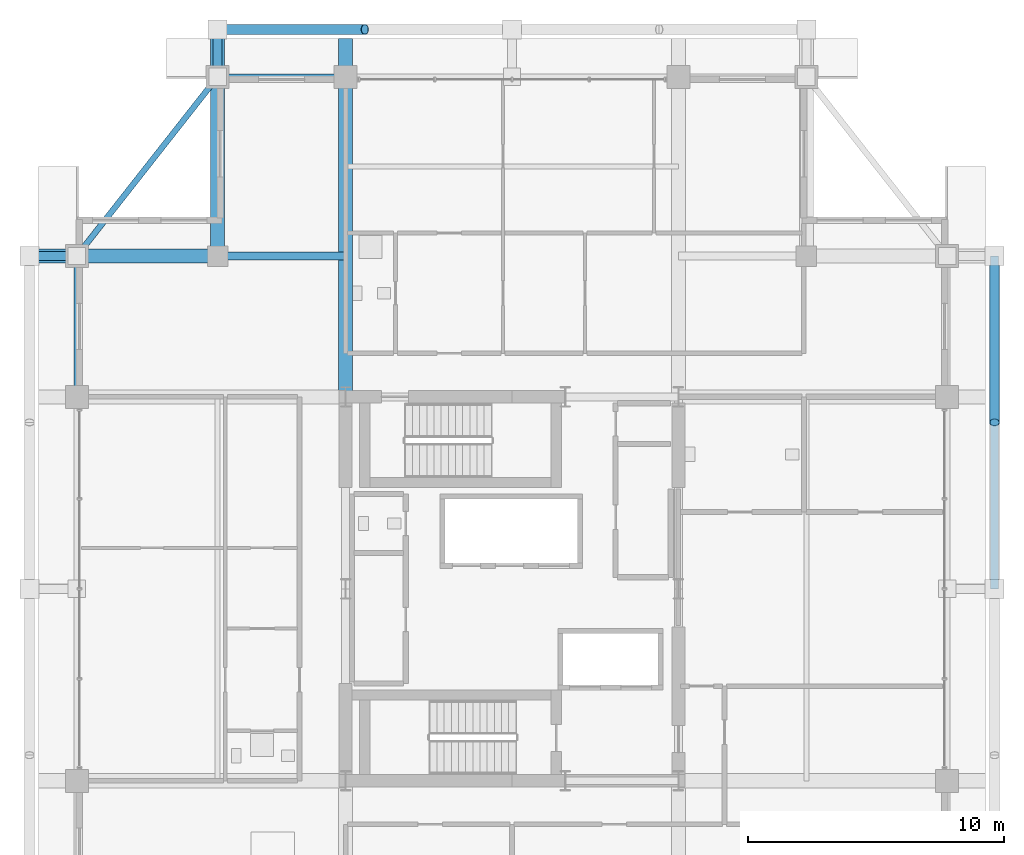
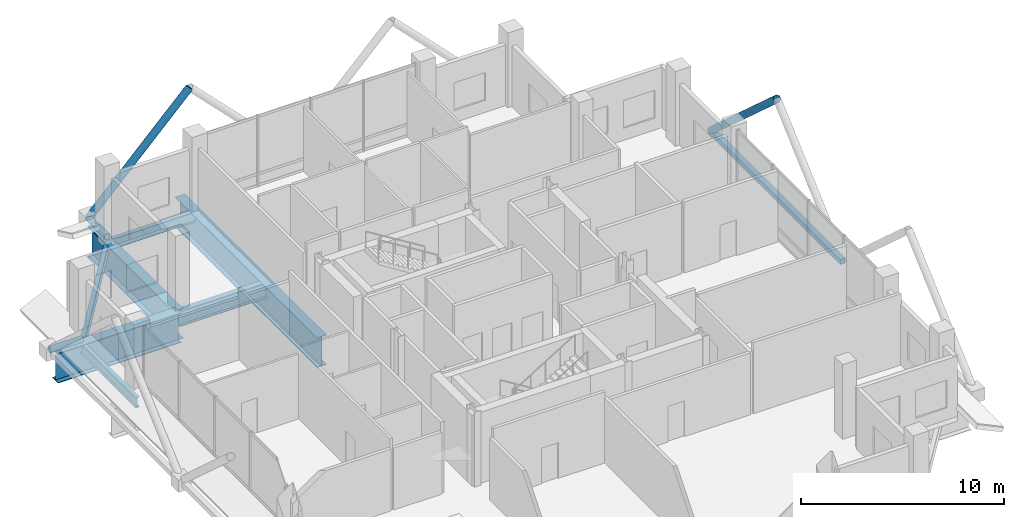
# One storey, part 15 of 27: 7 beams, 5 members.
"""IFC4 building model written with IfcOpenShell, lengths in metres."""

from ifc_helpers import new_model, si_unit, direction, frame, origin, origin_2d, place, context, subcontext, project, spatial, hollow_rectangle, hollow_circle, i_section, extrude, material, material_profile, profile_set, type_object, element, save


model = new_model("IFC4")

# Units and contexts
model_context = context("Model", 3, precision=1e-05, world=origin(), true_north=direction((0.0, 1.0)))
body_context = subcontext(model_context, "Body", "Model", "MODEL_VIEW")
ifc_project = project(units=[si_unit("LENGTHUNIT", "METRE"), si_unit("AREAUNIT", "SQUARE_METRE"), si_unit("VOLUMEUNIT", "CUBIC_METRE"), si_unit("PLANEANGLEUNIT", "RADIAN"), si_unit("MASSUNIT", "GRAM", prefix="KILO")], contexts=[model_context])

# Site, building, storey
site_placement = place(None, origin())
site = spatial("IfcSite", under=ifc_project, at=site_placement, CompositionType="ELEMENT")
building_placement = place(site_placement, origin())
building = spatial("IfcBuilding", under=site, at=building_placement, Name="Barlavira Tower and Art Museum", CompositionType="ELEMENT")
storey_placement = place(building_placement, frame((0.0, 0.0, 217.800048828125)))
storey = spatial("IfcBuildingStorey", under=building, at=storey_placement, Name="L56", CompositionType="ELEMENT", Elevation=217.800048828125)

# Members
ifc_material = material(Name="Steel S355", Category="steel")
ifc_material_profile_1 = material_profile(ifc_material, hollow_circle(Radius=0.203125, WallThickness=0.01611328125, at=origin_2d()), Name="CHS 406.4x16.0")
ifc_profile_set_1 = profile_set([ifc_material_profile_1], Name="Steel S355")
member_type_1 = type_object("IfcMemberType", Name="Pale-Metal Exoskeleton Diagrid Tube CHS 406x16 Steel S355", PredefinedType="BRACE", material=ifc_profile_set_1)
member_1_placement = place(storey_placement, frame((-11.5, 21.85009765625, -0.1201171875), z_axis=(0.700979034508, 0.0, 0.713181879453), x_axis=(0.0, 1.0, 0.0)))
element("IfcMember", 1, at=member_1_placement, inside=storey, type_object=member_type_1, Name="L56 Exoskeleton Diagrid Tube N", PredefinedType="BRACE", context=body_context, shape_type="SweptSolid", body=[
    extrude(hollow_circle(Radius=0.203125, WallThickness=0.01611328125, at=origin_2d()), origin(), (0.0, 0.0, 1.0), 8.202880859375),
])
member_2_placement = place(storey_placement, frame((18.85009765625, 13.0, -0.1201171875), z_axis=(0.0, -0.743288593472, 0.668970901321), x_axis=(1.0, 0.0, 0.0)))
element("IfcMember", 2, at=member_2_placement, inside=storey, type_object=member_type_1, Name="L56 Exoskeleton Diagrid Tube E", PredefinedType="BRACE", context=body_context, shape_type="SweptSolid", body=[
    extrude(hollow_circle(Radius=0.203125, WallThickness=0.01611328125, at=origin_2d()), origin(), (0.0, 0.0, 1.0), 8.744873046875),
])
ifc_material_profile_2 = material_profile(ifc_material, hollow_circle(Radius=0.177734375, WallThickness=0.01611328125, at=origin_2d()), Name="CHS 355.6x16.0")
ifc_profile_set_2 = profile_set([ifc_material_profile_2], Name="Steel S355")
member_type_2 = type_object("IfcMemberType", Name="Pale-Metal Exoskeleton Tie Strut CHS 356x16 Steel S355", PredefinedType="STRUT", material=ifc_profile_set_2)
for number, where, z_axis, x_axis, name in (
    (3, (-11.5, 21.85009765625, -0.1201171875), (0.0, -1.0, 0.0), (1.0, 0.0, 0.0), "L56 Exoskeleton Tie Strut N1"),
    (4, (-18.85009765625, 13.0, -0.1201171875), (1.0, 0.0, 0.0), (0.0, 1.0, 0.0), "L56 Exoskeleton Tie Strut W3"),
):
    element("IfcMember", number, at=place(storey_placement, frame(where, z_axis=z_axis, x_axis=x_axis)), inside=storey, type_object=member_type_2, Name=name, PredefinedType="STRUT", context=body_context, shape_type="SweptSolid", body=[
        extrude(hollow_circle(Radius=0.177734375, WallThickness=0.01611328125, at=origin_2d()), origin(), (0.0, 0.0, 1.0), 1.85009765625),
    ])
ifc_material_profile_3 = material_profile(ifc_material, hollow_rectangle(XDim=0.300048828125, YDim=0.300048828125, WallThickness=0.01611328125, at=origin_2d()), Name="SHS 300x300x16.0")
ifc_profile_set_3 = profile_set([ifc_material_profile_3], Name="Steel S355")
member_type_3 = type_object("IfcMemberType", Name="Pale-Metal Upper Ring Strut SHS 300x300x16 Steel S355", PredefinedType="STRUT", material=ifc_profile_set_3)
member_3_placement = place(storey_placement, frame((18.85009765625, 0.0, -0.1201171875), z_axis=(0.0, 1.0, 0.0), x_axis=(-1.0, 0.0, 0.0)))
element("IfcMember", 5, at=member_3_placement, inside=storey, type_object=member_type_3, Name="L56 Exoskeleton Ring Strut E", PredefinedType="STRUT", context=body_context, shape_type="SweptSolid", body=[
    extrude(hollow_rectangle(XDim=0.300048828125, YDim=0.300048828125, WallThickness=0.01611328125, at=origin_2d()), origin(), (0.0, 0.0, 1.0), 13.0),
])

# Beams
ifc_material_profile_4 = material_profile(ifc_material, i_section(OverallWidth=0.30908203125, OverallDepth=0.931884765625, WebThickness=0.01953125, FlangeThickness=0.034423828125, at=origin_2d()), Name="W920x313.0")
ifc_profile_set_4 = profile_set([ifc_material_profile_4], Name="Steel S355")
beam_type_1 = type_object("IfcBeamType", Name="Setback Ring Girder W920x313 Steel S355", PredefinedType="BEAM", material=ifc_profile_set_4)
beam_1_placement = place(storey_placement, frame((-11.5, 13.0, -0.76611328125), z_axis=(1.0, 0.0, 0.0), x_axis=(0.0, 1.0, 0.0)))
element("IfcBeam", 6, at=beam_1_placement, inside=storey, type_object=beam_type_1, Name="L56 Girder I-N2", PredefinedType="BEAM", context=body_context, shape_type="SweptSolid", body=[
    extrude(i_section(OverallWidth=0.30908203125, OverallDepth=0.931884765625, WebThickness=0.01953125, FlangeThickness=0.034423828125, at=origin_2d()), origin(), (0.0, 0.0, 1.0), 5.0),
])
ifc_material_profile_5 = material_profile(ifc_material, i_section(OverallWidth=0.22998046875, OverallDepth=0.616943359375, WebThickness=0.01318359375, FlangeThickness=0.022216796875, at=origin_2d()), Name="W610x140.0")
ifc_profile_set_5 = profile_set([ifc_material_profile_5], Name="Steel S355")
beam_type_2 = type_object("IfcBeamType", Name="Upper Shaft Spandrel Edge Beam W610x140 Steel S355", PredefinedType="SPANDREL", material=ifc_profile_set_5)
beam_2_placement = place(storey_placement, frame((-11.5, 20.0, -0.608642578125), z_axis=(1.0, 0.0, 0.0), x_axis=(0.0, 1.0, 0.0)))
element("IfcBeam", 7, at=beam_2_placement, inside=storey, type_object=beam_type_2, Name="L56 Spandrel 11", PredefinedType="SPANDREL", context=body_context, shape_type="SweptSolid", body=[
    extrude(i_section(OverallWidth=0.22998046875, OverallDepth=0.616943359375, WebThickness=0.01318359375, FlangeThickness=0.022216796875, at=origin_2d()), origin(), (0.0, 0.0, 1.0), 5.0),
])
beam_3_placement = place(storey_placement, frame((-11.5, 20.0, -0.608642578125), z_axis=(-0.617821551932, -0.786318338822, 0.0), x_axis=(0.786318338822, -0.617821551932, 0.0)))
element("IfcBeam", 8, at=beam_3_placement, inside=storey, type_object=beam_type_2, Name="L56 Spandrel 12", PredefinedType="SPANDREL", context=body_context, shape_type="SweptSolid", body=[
    extrude(i_section(OverallWidth=0.22998046875, OverallDepth=0.616943359375, WebThickness=0.01318359375, FlangeThickness=0.022216796875, at=origin_2d()), origin(), (0.0, 0.0, 1.0), 8.90234375),
])
beam_4_placement = place(storey_placement, frame((-17.0, 7.5, -0.608642578125), z_axis=(0.0, 1.0, 0.0), x_axis=(-1.0, 0.0, 0.0)))
element("IfcBeam", 9, at=beam_4_placement, inside=storey, type_object=beam_type_2, Name="L56 Spandrel 13", PredefinedType="SPANDREL", context=body_context, shape_type="SweptSolid", body=[
    extrude(i_section(OverallWidth=0.22998046875, OverallDepth=0.616943359375, WebThickness=0.01318359375, FlangeThickness=0.022216796875, at=origin_2d()), origin(), (0.0, 0.0, 1.0), 5.5),
])
ifc_material_profile_6 = material_profile(ifc_material, i_section(OverallWidth=0.550048828125, OverallDepth=1.800048828125, WebThickness=0.02587890625, FlangeThickness=0.033935546875, at=origin_2d()), Name="CVS1800x520")
ifc_profile_set_6 = profile_set([ifc_material_profile_6], Name="Steel S355")
beam_type_3 = type_object("IfcBeamType", Name="Zone Setback Transfer Girder CVS1800x520 Steel S355", PredefinedType="USERDEFINED", material=ifc_profile_set_6)
beam_5_placement = place(storey_placement, frame((-11.5, 13.0, -1.199951171875), z_axis=(0.0, 1.0, 0.0), x_axis=(-1.0, 0.0, 0.0)))
element("IfcBeam", 10, at=beam_5_placement, inside=storey, type_object=beam_type_3, Name="L56 Setback Transfer Girder TGL56-04", ObjectType="TRANSFER GIRDER", PredefinedType="USERDEFINED", context=body_context, shape_type="SweptSolid", body=[
    extrude(i_section(OverallWidth=0.550048828125, OverallDepth=1.800048828125, WebThickness=0.02587890625, FlangeThickness=0.033935546875, at=origin_2d()), origin(), (0.0, 0.0, 1.0), 8.5),
])
beam_6_placement = place(storey_placement, frame((-6.5, 7.5, -1.199951171875), z_axis=(0.0, 1.0, 0.0), x_axis=(-1.0, 0.0, 0.0)))
element("IfcBeam", 11, at=beam_6_placement, inside=storey, type_object=beam_type_3, Name="L56 Setback Transfer Girder TGL56-05A", ObjectType="TRANSFER GIRDER", PredefinedType="USERDEFINED", context=body_context, shape_type="SweptSolid", body=[
    extrude(i_section(OverallWidth=0.550048828125, OverallDepth=1.800048828125, WebThickness=0.02587890625, FlangeThickness=0.033935546875, at=origin_2d()), origin(), (0.0, 0.0, 1.0), 14.0),
])
beam_7_placement = place(storey_placement, frame((-18.5, 13.0, -1.199951171875), z_axis=(1.0, 0.0, 0.0), x_axis=(0.0, 1.0, 0.0)))
element("IfcBeam", 12, at=beam_7_placement, inside=storey, type_object=beam_type_3, Name="L56 Setback Transfer Girder TGL56-09", ObjectType="TRANSFER GIRDER", PredefinedType="USERDEFINED", context=body_context, shape_type="SweptSolid", body=[
    extrude(i_section(OverallWidth=0.550048828125, OverallDepth=1.800048828125, WebThickness=0.02587890625, FlangeThickness=0.033935546875, at=origin_2d()), origin(), (0.0, 0.0, 1.0), 7.0),
])

save(model, "model.ifc")
